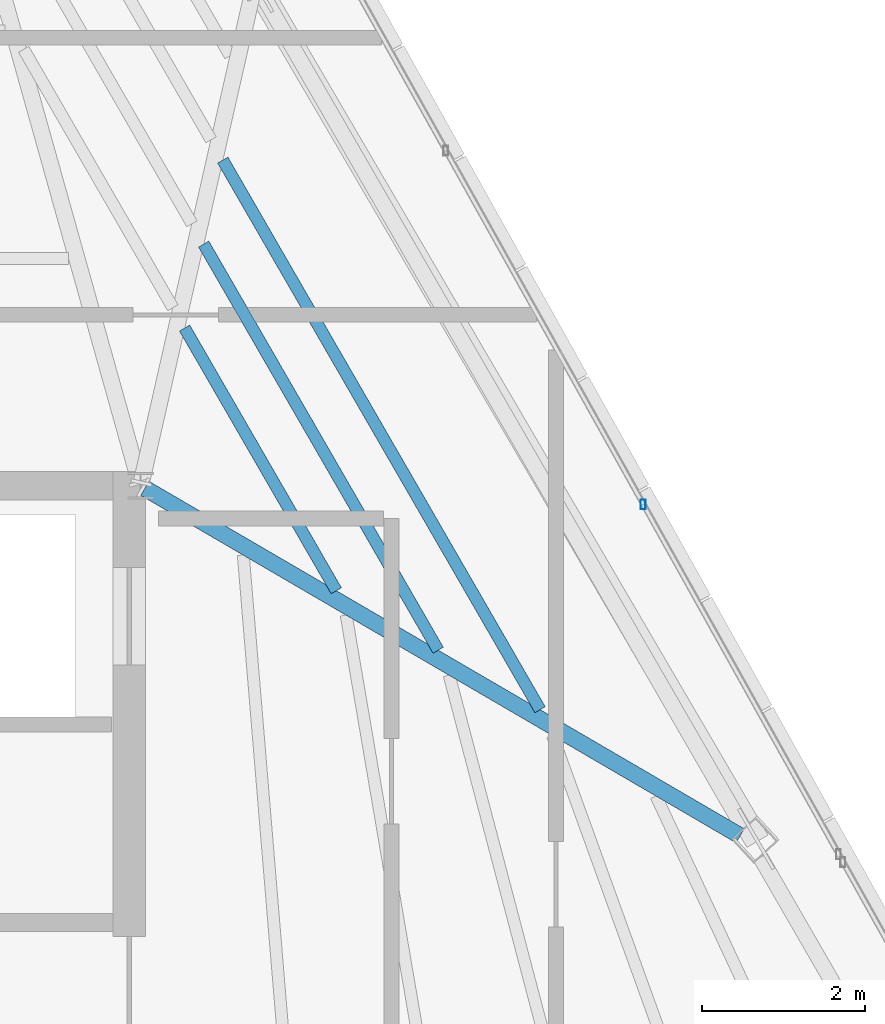
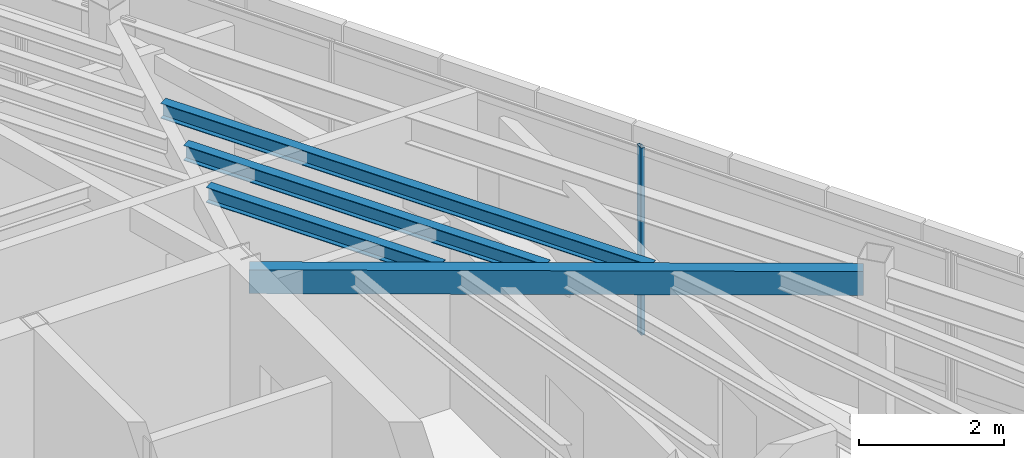
# One storey, part 28 of 44: 4 beams, 1 member, 1 element without a shape of its own.
"""IFC4 building model written with IfcOpenShell, lengths in metres."""

from ifc_helpers import new_model, si_unit, direction, frame, origin, origin_2d, place, context, subcontext, project, spatial, hollow_rectangle, i_section, extrude, source, transform, mapped, material, material_profile, profile_set, type_object, type_shapes, element, aggregate, save


model = new_model("IFC4")

# Units and contexts
model_context = context("Model", 3, precision=1e-05, world=origin(), true_north=direction((0.0, 1.0)))
body_context = subcontext(model_context, "Body", "Model", "MODEL_VIEW")
ifc_project = project(units=[si_unit("LENGTHUNIT", "METRE"), si_unit("AREAUNIT", "SQUARE_METRE"), si_unit("VOLUMEUNIT", "CUBIC_METRE"), si_unit("PLANEANGLEUNIT", "RADIAN"), si_unit("MASSUNIT", "GRAM", prefix="KILO")], contexts=[model_context])

# Site, building, storey
site_placement = place(None, origin())
site = spatial("IfcSite", under=ifc_project, at=site_placement, CompositionType="ELEMENT")
building_placement = place(site_placement, origin())
building = spatial("IfcBuilding", under=site, at=building_placement, Name="Caelisora Broadcast Tower", CompositionType="ELEMENT")
storey_placement = place(building_placement, frame((0.0, 0.0, 296.60009765625)))
storey = spatial("IfcBuildingStorey", under=building, at=storey_placement, Name="L78", CompositionType="ELEMENT", Elevation=296.60009765625)

# Beams
ifc_material_1 = material(Name="Steel Grade 350 (AS/NZS 1163 C350L0)", Category="steel")
ifc_material_profile_1 = material_profile(ifc_material_1, hollow_rectangle(XDim=0.199951171875, YDim=0.39990234375, WallThickness=0.012451171875, at=origin_2d()), Name="Steel Grade 350 (AS/NZS 1163 C350L0)")
ifc_profile_set_1 = profile_set([ifc_material_profile_1], Name="Steel Grade 350 (AS/NZS 1163 C350L0)")
beam_type_1 = type_object("IfcBeamType", Name="PG07", PredefinedType="BEAM", material=ifc_profile_set_1)
shared_shape_1 = source(origin(), body_context, "Body", "SweptSolid", [
    extrude(hollow_rectangle(XDim=0.199951171875, YDim=0.39990234375, WallThickness=0.012451171875, at=origin_2d()), origin(), (0.0, 0.0, 1.0), 8.462158203125),
])
type_shapes(beam_type_1, [shared_shape_1])
beam_1_placement = place(storey_placement, frame((45.5517578125, 29.9697265625, 2.949951171875), z_axis=(0.863641791359, -0.504105997007, 0.0), x_axis=(0.504105997007, 0.863641791359, 0.0)))
element("IfcBeam", 1, at=beam_1_placement, inside=storey, type_object=beam_type_1, Name="L78 beam PG07", PredefinedType="BEAM", context=body_context, shape_type="MappedRepresentation", body=[
    mapped(shared_shape_1, transform((0.0, 0.0, 0.0), scale=1.0)),
])
ifc_material_2 = material(Name="Steel Grade 350 (AS/NZS 3679.1)", Category="steel")
ifc_material_profile_2 = material_profile(ifc_material_2, i_section(OverallWidth=0.14599609375, OverallDepth=0.256103515625, WebThickness=0.00634765625, FlangeThickness=0.010986328125, at=origin_2d()), Name="Steel Grade 350 (AS/NZS 3679.1)")
ifc_profile_set_2 = profile_set([ifc_material_profile_2], Name="Steel Grade 350 (AS/NZS 3679.1)")
beam_type_2 = type_object("IfcBeamType", Name="SB04", PredefinedType="JOIST", material=ifc_profile_set_2)
shared_shape_2 = source(origin(), body_context, "Body", "SweptSolid", [
    extrude(i_section(OverallWidth=0.14599609375, OverallDepth=0.256103515625, WebThickness=0.00634765625, FlangeThickness=0.010986328125, at=origin_2d()), origin(), (0.0, 0.0, 1.0), 3.72412109375),
])
beam_2_placement = place(storey_placement, frame((47.90234375, 28.7119140625, 3.021728515625), z_axis=(-0.500009978401, 0.866019642675, 0.0), x_axis=(-0.866019642675, -0.500009978401, 0.0)))
element("IfcBeam", 2, at=beam_2_placement, inside=storey, type_object=beam_type_2, Name="L78 beam SB04", PredefinedType="JOIST", context=body_context, shape_type="MappedRepresentation", body=[
    mapped(shared_shape_2, transform((0.0, 0.0, 0.0), scale=1.0)),
])
shared_shape_3 = source(origin(), body_context, "Body", "SweptSolid", [
    extrude(i_section(OverallWidth=0.14599609375, OverallDepth=0.256103515625, WebThickness=0.00634765625, FlangeThickness=0.010986328125, at=origin_2d()), origin(), (0.0, 0.0, 1.0), 5.757568359375),
])
beam_3_placement = place(storey_placement, frame((49.1533203125, 27.981689453125, 3.021728515625), z_axis=(-0.500024661345, 0.866011165082, 0.0), x_axis=(-0.866011165082, -0.500024661345, 0.0)))
element("IfcBeam", 3, at=beam_3_placement, inside=storey, type_object=beam_type_2, Name="L78 beam SB04", PredefinedType="JOIST", context=body_context, shape_type="MappedRepresentation", body=[
    mapped(shared_shape_3, transform((0.0, 0.0, 0.0), scale=1.0)),
])
shared_shape_4 = source(origin(), body_context, "Body", "SweptSolid", [
    extrude(i_section(OverallWidth=0.14599609375, OverallDepth=0.256103515625, WebThickness=0.00634765625, FlangeThickness=0.010986328125, at=origin_2d()), origin(), (0.0, 0.0, 1.0), 7.791015625),
])
type_shapes(beam_type_2, [shared_shape_2, shared_shape_3, shared_shape_4])
beam_4_placement = place(storey_placement, frame((50.404052734375, 27.25146484375, 3.021728515625), z_axis=(-0.499994608904, 0.866028516313, 0.0), x_axis=(-0.866028516313, -0.499994608904, 0.0)))
element("IfcBeam", 4, at=beam_4_placement, inside=storey, type_object=beam_type_2, Name="L78 beam SB04", PredefinedType="JOIST", context=body_context, shape_type="MappedRepresentation", body=[
    mapped(shared_shape_4, transform((0.0, 0.0, 0.0), scale=1.0)),
])

# Curtain wall, member
ifc_material_3 = material(Name="Unitised Aluminium Insulated Shadow-Box Spandrel Curtain Wall", Category="aluminium")
curtain_wall_type = type_object("IfcCurtainWallType", Name="CW-SP3", PredefinedType="NOTDEFINED", material=ifc_material_3)
curtain_wall_placement = place(storey_placement, origin())
curtain_wall = element("IfcCurtainWall", 5, at=curtain_wall_placement, inside=storey, type_object=curtain_wall_type, Name="L78 curtain wall CW-SP3", PredefinedType="NOTDEFINED")
ifc_material_4 = material(Name="Aluminium 6063-T6 Anodised Terracotta Bronze", Category="aluminium")
ifc_material_profile_3 = material_profile(ifc_material_4, hollow_rectangle(XDim=0.06005859375, YDim=0.1201171875, WallThickness=0.0029296875, at=origin_2d()), Name="Aluminium 6063-T6 Anodised Terracotta Bronze")
ifc_profile_set_3 = profile_set([ifc_material_profile_3], Name="Aluminium 6063-T6 Anodised Terracotta Bronze")
member_type = type_object("IfcMemberType", Name="CWM-04", PredefinedType="MULLION", material=ifc_profile_set_3)
shared_shape_5 = source(origin(), body_context, "Body", "SweptSolid", [
    extrude(hollow_rectangle(XDim=0.06005859375, YDim=0.1201171875, WallThickness=0.0029296875, at=origin_2d()), origin(), (0.0, 0.0, 1.0), 3.14990234375),
])
type_shapes(member_type, [shared_shape_5])
member_placement = place(storey_placement, frame((51.668701171875, 29.7724609375, 0.0), z_axis=(0.0, 0.0, 1.0), x_axis=(1.0, 0.0, 0.0)))
member = element("IfcMember", 6, at=member_placement, type_object=member_type, Name="L78-CW-B02 mullion #2", PredefinedType="MULLION", context=body_context, shape_type="MappedRepresentation", body=[
    mapped(shared_shape_5, transform((0.0, 0.0, 0.0), scale=1.0)),
])
aggregate(curtain_wall, [member])

save(model, "model.ifc")
